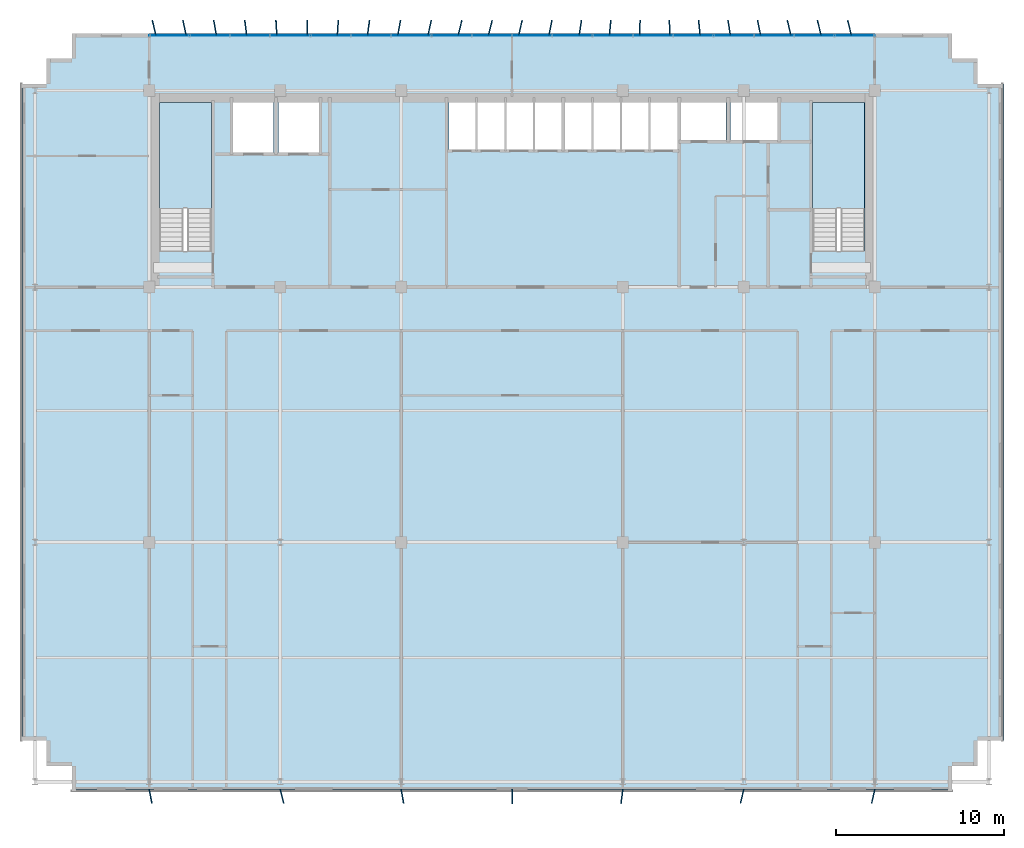
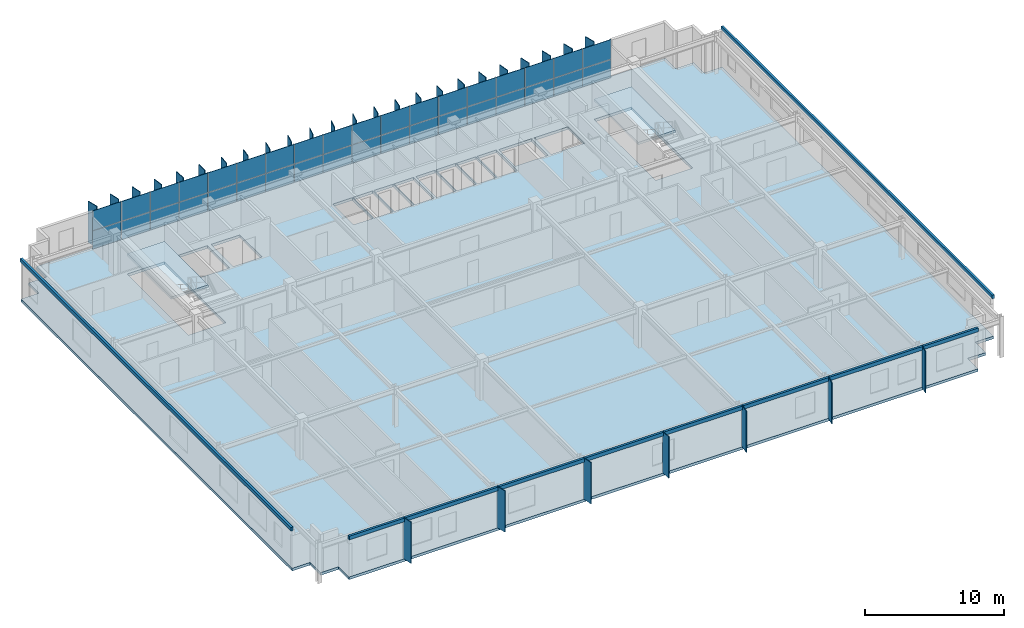
# One storey, part 13 of 19: 70 plates, 3 slabs, 3 elements without a shape of their own.
"""IFC4 building model written with IfcOpenShell, lengths in metres."""

from ifc_helpers import new_model, si_unit, direction, frame, origin, origin_2d, place, context, subcontext, project, spatial, polyline, rectangle, outline, extrude, source, transform, mapped, material, layer, layer_set, type_object, element, aggregate, save


model = new_model("IFC4")

# Units and contexts
model_context = context("Model", 3, precision=1e-05, world=origin(), true_north=direction((0.0, 1.0)))
body_context = subcontext(model_context, "Body", "Model", "MODEL_VIEW")
ifc_project = project(units=[si_unit("LENGTHUNIT", "METRE"), si_unit("AREAUNIT", "SQUARE_METRE"), si_unit("VOLUMEUNIT", "CUBIC_METRE"), si_unit("PLANEANGLEUNIT", "RADIAN"), si_unit("MASSUNIT", "GRAM", prefix="KILO")], contexts=[model_context])

# Site, building, storey
site_placement = place(None, origin())
site = spatial("IfcSite", under=ifc_project, at=site_placement, CompositionType="ELEMENT")
building_placement = place(site_placement, origin())
building = spatial("IfcBuilding", under=site, at=building_placement, Name="Trelvane Seafront Commons", CompositionType="ELEMENT")
storey_placement = place(building_placement, frame((0.0, 0.0, 215.699951171875)))
storey = spatial("IfcBuildingStorey", under=building, at=storey_placement, Name="L56", CompositionType="ELEMENT", Elevation=215.699951171875)

# Stair, slab
ifc_material_1 = material(Name="Concrete C40/50", Category="concrete")
stair_type_1 = type_object("IfcStairType", Name="ARCH-STR-ST-1-R20-180", PredefinedType="HALF_TURN_STAIR", material=ifc_material_1)
stair_1_placement = place(storey_placement, origin())
stair_1 = element("IfcStair", 1, at=stair_1_placement, inside=storey, type_object=stair_type_1, Name="L56 West Protected Firefighting Exit Stair ST-1", PredefinedType="HALF_TURN_STAIR")
ifc_layer_1 = layer(ifc_material_1, 0.199951171875, Name="ARCH-LND-200")
ifc_layer_set_1 = layer_set([ifc_layer_1], Name="Concrete C40/50")
slab_type_1 = type_object("IfcSlabType", Name="ARCH-LND-200", PredefinedType="LANDING", material=ifc_layer_set_1)
slab_1_placement = place(storey_placement, frame((0.0, 0.0, 1.60009765625)))
slab_1 = element("IfcSlab", 2, at=slab_1_placement, type_object=slab_type_1, Name="ST-1 landing 1", PredefinedType="LANDING", context=body_context, shape_type="SweptSolid", body=[
    extrude(outline(polyline([(19.300048828125, 38.070068359375), (19.300048828125, 44.39990234375), (16.199951171875, 44.39990234375), (16.199951171875, 38.070068359375), (19.300048828125, 38.070068359375)])), origin(), (0.0, 0.0, 1.0), 0.199951171875),
])
aggregate(stair_1, [slab_1])

stair_type_2 = type_object("IfcStairType", Name="ARCH-STR-ST-2-R20-180", PredefinedType="HALF_TURN_STAIR", material=ifc_material_1)
stair_2_placement = place(storey_placement, origin())
stair_2 = element("IfcStair", 3, at=stair_2_placement, inside=storey, type_object=stair_type_2, Name="L56 East Protected Firefighting Exit Stair ST-2", PredefinedType="HALF_TURN_STAIR")
slab_2_placement = place(storey_placement, frame((0.0, 0.0, 1.60009765625)))
slab_2 = element("IfcSlab", 4, at=slab_2_placement, type_object=slab_type_1, Name="ST-2 landing 1", PredefinedType="LANDING", context=body_context, shape_type="SweptSolid", body=[
    extrude(outline(polyline([(58.199951171875, 38.070068359375), (58.199951171875, 44.39990234375), (55.10009765625, 44.39990234375), (55.10009765625, 38.070068359375), (58.199951171875, 38.070068359375)])), origin(), (0.0, 0.0, 1.0), 0.199951171875),
])
aggregate(stair_2, [slab_2])

# Slab
ifc_material_2 = material(Name="Concrete C50/60", Category="concrete")
ifc_layer_2 = layer(ifc_material_2, 0.239990234375, Name="STR-SLB-Z4-240")
ifc_layer_set_2 = layer_set([ifc_layer_2], Name="Concrete C50/60")
slab_type_2 = type_object("IfcSlabType", Name="STR-SLB-Z4-240", PredefinedType="FLOOR", material=ifc_layer_set_2)
slab_3_placement = place(storey_placement, frame((0.0, 0.0, -0.239990234375)))
element("IfcSlab", 5, at=slab_3_placement, inside=storey, type_object=slab_type_2, Name="L56 Structural Floor Slab", PredefinedType="FLOOR", context=body_context, shape_type="SweptSolid", body=[
    extrude(outline(polyline([(11.0, 3.39990234375), (63.39990234375, 3.39990234375), (63.39990234375, 4.89990234375), (64.89990234375, 4.89990234375), (64.89990234375, 6.39990234375), (66.39990234375, 6.39990234375), (66.39990234375, 45.5), (64.89990234375, 45.5), (64.89990234375, 47.0), (63.39990234375, 47.0), (63.39990234375, 48.5), (11.0, 48.5), (11.0, 47.0), (9.5, 47.0), (9.5, 45.5), (8.0, 45.5), (8.0, 6.39990234375), (9.5, 6.39990234375), (9.5, 4.89990234375), (11.0, 4.89990234375), (11.0, 3.39990234375)]), holes=[polyline([(19.300048828125, 35.550048828125), (16.199951171875, 35.550048828125), (16.199951171875, 44.39990234375), (19.300048828125, 44.39990234375), (19.300048828125, 35.550048828125)]), polyline([(20.60009765625, 41.39990234375), (20.60009765625, 44.60009765625), (23.0, 44.60009765625), (23.0, 41.39990234375), (20.60009765625, 41.39990234375)]), polyline([(23.300048828125, 41.39990234375), (23.300048828125, 44.60009765625), (25.699951171875, 44.60009765625), (25.699951171875, 41.39990234375), (23.300048828125, 41.39990234375)]), polyline([(33.449951171875, 41.60009765625), (33.449951171875, 44.60009765625), (35.070068359375, 44.60009765625), (35.070068359375, 41.60009765625), (33.449951171875, 41.60009765625)]), polyline([(35.14990234375, 41.60009765625), (35.14990234375, 44.60009765625), (36.77001953125, 44.60009765625), (36.77001953125, 41.60009765625), (35.14990234375, 41.60009765625)]), polyline([(36.85009765625, 41.60009765625), (36.85009765625, 44.60009765625), (38.469970703125, 44.60009765625), (38.469970703125, 41.60009765625), (36.85009765625, 41.60009765625)]), polyline([(38.550048828125, 41.60009765625), (38.550048828125, 44.60009765625), (40.169921875, 44.60009765625), (40.169921875, 41.60009765625), (38.550048828125, 41.60009765625)]), polyline([(58.199951171875, 35.550048828125), (55.10009765625, 35.550048828125), (55.10009765625, 44.39990234375), (58.199951171875, 44.39990234375), (58.199951171875, 35.550048828125)]), polyline([(40.35009765625, 41.60009765625), (40.35009765625, 44.60009765625), (41.969970703125, 44.60009765625), (41.969970703125, 41.60009765625), (40.35009765625, 41.60009765625)]), polyline([(42.050048828125, 41.60009765625), (42.050048828125, 44.60009765625), (43.669921875, 44.60009765625), (43.669921875, 41.60009765625), (42.050048828125, 41.60009765625)]), polyline([(43.75, 41.60009765625), (43.75, 44.60009765625), (45.3701171875, 44.60009765625), (45.3701171875, 41.60009765625), (43.75, 41.60009765625)]), polyline([(45.449951171875, 41.60009765625), (45.449951171875, 44.60009765625), (47.070068359375, 44.60009765625), (47.070068359375, 41.60009765625), (45.449951171875, 41.60009765625)]), polyline([(47.25, 42.14990234375), (47.25, 44.550048828125), (49.949951171875, 44.550048828125), (49.949951171875, 42.14990234375), (47.25, 42.14990234375)]), polyline([(50.199951171875, 42.14990234375), (50.199951171875, 44.550048828125), (53.0, 44.550048828125), (53.0, 42.14990234375), (50.199951171875, 42.14990234375)])]), origin(), (0.0, 0.0, 1.0), 0.239990234375),
])

# Plates
ifc_material_3 = material(Name="Anodised pale-silver aluminium", Category="aluminium")
ifc_layer_3 = layer(ifc_material_3, 0.06005859375, Name="ARCH-PLATE-FIN900")
ifc_layer_set_3 = layer_set([ifc_layer_3], Name="Anodised pale-silver aluminium")
plate_type_1 = type_object("IfcPlateType", Name="ARCH-PLATE-FIN900", PredefinedType="USERDEFINED", material=ifc_layer_set_3)
shared_shape_1 = source(origin(), body_context, "Body", "SweptSolid", [
    extrude(rectangle(XDim=0.89990234375, YDim=0.06005859375, at=origin_2d()), origin(), (0.0, 0.0, 1.0), 3.639892578125),
])
for number, where, z_axis, x_axis, name in (
    (6, (15.893798828125, 48.83740234375, -0.02001953125), (0.0, 0.0, 1.0), (-0.235993611507, 0.971754606538, 0.0), "FIN-L56-01542"),
    (7, (17.7041015625, 48.839599609375, -0.02001953125), (0.0, 0.0, 1.0), (-0.213117354008, 0.977026608348, 0.0), "FIN-L56-01543"),
    (8, (19.521484375, 48.843017578125, -0.02001953125), (0.0, 0.0, 1.0), (-0.174337379407, 0.984685979458, 0.0), "FIN-L56-01544"),
    (9, (21.344970703125, 48.8466796875, -0.02001953125), (0.0, 0.0, 1.0), (-0.122557045069, 0.99246147064, 0.0), "FIN-L56-01545"),
    (10, (23.17236328125, 48.84912109375, -0.02001953125), (0.0, 0.0, 1.0), (-0.06122274599, 0.998124128239, 0.0), "FIN-L56-01546"),
    (11, (25.002197265625, 48.85009765625, -0.02001953125), (0.0, 0.0, 1.0), (0.004776947995, 0.999988590319, 0.0), "FIN-L56-01547"),
    (12, (26.831787109375, 48.848876953125, -0.02001953125), (0.0, 0.0, 1.0), (0.070442441818, 0.997515845684, 0.0), "FIN-L56-01548"),
    (13, (28.65869140625, 48.84619140625, -0.02001953125), (0.0, 0.0, 1.0), (0.130664622765, 0.991426626815, 0.0), "FIN-L56-01549"),
    (14, (30.481201171875, 48.842529296875, -0.02001953125), (0.0, 0.0, 1.0), (0.180771487747, 0.983525123837, 0.0), "FIN-L56-01550"),
    (15, (32.2978515625, 48.839111328125, -0.02001953125), (0.0, 0.0, 1.0), (0.217330693667, 0.976098032776, 0.0), "FIN-L56-01551"),
    (16, (34.107177734375, 48.837158203125, -0.02001953125), (0.0, 0.0, 1.0), (0.237879153157, 0.971294758811, 0.0), "FIN-L56-01552"),
    (17, (35.908447265625, 48.836669921875, -0.02001953125), (0.0, 0.0, 1.0), (0.240992061138, 0.970527086932, 0.0), "FIN-L56-01553"),
    (18, (37.701904296875, 48.83837890625, -0.02001953125), (0.0, 0.0, 1.0), (0.226554411517, 0.973998510585, 0.0), "FIN-L56-01554"),
    (19, (39.488037109375, 48.84130859375, -0.02001953125), (0.0, 0.0, 1.0), (0.195561042668, 0.980691530804, 0.0), "FIN-L56-01555"),
    (20, (41.267333984375, 48.844970703125, -0.02001953125), (0.0, 0.0, 1.0), (0.149894280313, 0.988702030305, 0.0), "FIN-L56-01556"),
    (21, (43.041748046875, 48.84814453125, -0.02001953125), (0.0, 0.0, 1.0), (0.092778978515, 0.995686728417, 0.0), "FIN-L56-01557"),
    (22, (44.812744140625, 48.849853515625, -0.02001953125), (0.0, 0.0, 1.0), (0.0285566852, 0.999592174704, 0.0), "FIN-L56-01558"),
    (23, (46.5830078125, 48.849609375, -0.02001953125), (0.0, 0.0, 1.0), (-0.037997140577, 0.999277847902, 0.0), "FIN-L56-01559"),
    (24, (48.354248046875, 48.84765625, -0.02001953125), (0.0, 0.0, 1.0), (-0.101561574899, 0.99482925495, 0.0), "FIN-L56-01560"),
    (25, (50.129150390625, 48.844482421875, -0.02001953125), (0.0, 0.0, 1.0), (-0.157223934317, 0.987562977474, 0.0), "FIN-L56-01561"),
    (26, (51.909423828125, 48.8408203125, -0.02001953125), (0.0, 0.0, 1.0), (-0.201007823696, 0.979589635926, 0.0), "FIN-L56-01562"),
    (27, (53.696533203125, 48.837890625, -0.02001953125), (0.0, 0.0, 1.0), (-0.229783061299, 0.973241873709, 0.0), "FIN-L56-01563"),
    (28, (55.4912109375, 48.836669921875, -0.02001953125), (0.0, 0.0, 1.0), (-0.24167294527, 0.970357762645, 0.0), "FIN-L56-01564"),
    (29, (57.293701171875, 48.83740234375, -0.02001953125), (0.0, 0.0, 1.0), (-0.235993611507, 0.971754606538, 0.0), "FIN-L56-01565"),
):
    element("IfcPlate", number, at=place(storey_placement, frame(where, z_axis=z_axis, x_axis=x_axis)), inside=storey, type_object=plate_type_1, Name=name, ObjectType="FIN", PredefinedType="USERDEFINED", context=body_context, shape_type="MappedRepresentation", body=[
        mapped(shared_shape_1, transform((0.0, 0.0, 0.0), x_axis=(1.0, 0.0, 0.0), y_axis=(0.0, 1.0, 0.0), z_axis=(0.0, 0.0, 1.0), scale=1.0)),
    ])
shared_shape_2 = source(origin(), body_context, "Body", "SweptSolid", [
    extrude(rectangle(XDim=0.85009765625, YDim=0.06005859375, at=origin_2d()), origin(), (0.0, 0.0, 1.0), 3.639892578125),
])
for number, where, z_axis, x_axis, name in (
    (30, (15.682373046875, 3.0830078125, -0.02001953125), (0.0, 0.0, 1.0), (0.19376350419, -0.981048268152, 0.0), "FIN-S-L56-01566"),
    (31, (23.502685546875, 3.087646484375, -0.02001953125), (0.0, 0.0, 1.0), (0.241539149064, -0.970391075531, 0.0), "FIN-S-L56-01567"),
    (32, (30.67529296875, 3.081787109375, -0.02001953125), (0.0, 0.0, 1.0), (0.177301171954, -0.984156641203, 0.0), "FIN-S-L56-01568"),
    (33, (37.212158203125, 3.0751953125, -0.02001953125), (0.0, 0.0, 1.0), (0.028586343684, -0.999591326971, 0.0), "FIN-S-L56-01569"),
    (34, (43.742919921875, 3.078857421875, -0.02001953125), (0.0, 0.0, 1.0), (-0.13412109235, -0.990964950231, 0.0), "FIN-S-L56-01570"),
    (35, (50.9013671875, 3.086669921875, -0.02001953125), (0.0, 0.0, 1.0), (-0.232112917222, -0.972688847299, 0.0), "FIN-S-L56-01571"),
    (36, (58.70556640625, 3.085693359375, -0.02001953125), (0.0, 0.0, 1.0), (-0.221997790653, -0.975047168575, 0.0), "FIN-S-L56-01572"),
):
    element("IfcPlate", number, at=place(storey_placement, frame(where, z_axis=z_axis, x_axis=x_axis)), inside=storey, type_object=plate_type_1, Name=name, ObjectType="FIN", PredefinedType="USERDEFINED", context=body_context, shape_type="MappedRepresentation", body=[
        mapped(shared_shape_2, transform((0.0, 0.0, 0.0), x_axis=(1.0, 0.0, 0.0), y_axis=(0.0, 1.0, 0.0), z_axis=(0.0, 0.0, 1.0), scale=1.0)),
    ])
ifc_layer_4 = layer(ifc_material_3, 0.179931640625, Name="ARCH-PLATE-AERO")
ifc_layer_set_4 = layer_set([ifc_layer_4], Name="Anodised pale-silver aluminium")
plate_type_2 = type_object("IfcPlateType", Name="ARCH-PLATE-AERO", PredefinedType="SHEET", material=ifc_layer_set_4)
shared_shape_3 = source(origin(), body_context, "Body", "SweptSolid", [
    extrude(rectangle(XDim=39.10009765625, YDim=0.179931640625, at=origin_2d()), origin(), (0.0, 0.0, 1.0), 0.320068359375),
])
for number, where, z_axis, x_axis, name in (
    (37, (8.0, 25.949951171875, 3.2998046875), (0.0, 0.0, 1.0), (0.0, 1.0, 0.0), "AER-L56-00197"),
    (38, (66.39990234375, 25.949951171875, 3.2998046875), (0.0, 0.0, 1.0), (0.0, -1.0, 0.0), "AER-L56-00198"),
):
    element("IfcPlate", number, at=place(storey_placement, frame(where, z_axis=z_axis, x_axis=x_axis)), inside=storey, type_object=plate_type_2, Name=name, PredefinedType="SHEET", context=body_context, shape_type="MappedRepresentation", body=[
        mapped(shared_shape_3, transform((0.0, 0.0, 0.0), x_axis=(1.0, 0.0, 0.0), y_axis=(0.0, 1.0, 0.0), z_axis=(0.0, 0.0, 1.0), scale=1.0)),
    ])
shared_shape_4 = source(origin(), body_context, "Body", "SweptSolid", [
    extrude(rectangle(XDim=52.39990234375, YDim=0.179931640625, at=origin_2d()), origin(), (0.0, 0.0, 1.0), 0.320068359375),
])
plate_1_placement = place(storey_placement, frame((37.199951171875, 3.43994140625, 3.2998046875), z_axis=(0.0, 0.0, 1.0), x_axis=(-1.0, 0.0, 0.0)))
element("IfcPlate", 39, at=plate_1_placement, inside=storey, type_object=plate_type_2, Name="AER-S-L56-00199", PredefinedType="SHEET", context=body_context, shape_type="MappedRepresentation", body=[
    mapped(shared_shape_4, transform((0.0, 0.0, 0.0), x_axis=(1.0, 0.0, 0.0), y_axis=(0.0, 1.0, 0.0), z_axis=(0.0, 0.0, 1.0), scale=1.0)),
])

# Curtain wall, plates
curtain_wall_type = type_object("IfcCurtainWallType", Name="ARCH-CW4-SKYLOBBY", PredefinedType="NOTDEFINED", material=ifc_material_3)
curtain_wall_placement = place(storey_placement, origin())
curtain_wall = element("IfcCurtainWall", 40, at=curtain_wall_placement, inside=storey, type_object=curtain_wall_type, Name="CW-L56-0099", PredefinedType="NOTDEFINED")
ifc_material_4 = material(Name="Low-E coastal double glazing", Category="glass")
ifc_layer_5 = layer(ifc_material_4, 0.033935546875, Name="ARCH-CW-GLAZ-34")
ifc_layer_set_5 = layer_set([ifc_layer_5], Name="Low-E coastal double glazing")
plate_type_3 = type_object("IfcPlateType", Name="ARCH-CW-GLAZ-34", PredefinedType="CURTAIN_PANEL", material=ifc_layer_set_5)
shared_shape_5 = source(origin(), body_context, "Body", "SweptSolid", [
    extrude(rectangle(XDim=2.3759765625, YDim=0.0400390625, at=origin_2d()), origin(), (0.0, 0.0, 1.0), 1.594970703125),
])
plate_2_placement = place(storey_placement, frame((16.800048828125, 48.3701171875, 0.0), z_axis=(0.0, 0.0, 1.0), x_axis=(1.0, 0.0, 0.0)))
plate_2 = element("IfcPlate", 41, at=plate_2_placement, type_object=plate_type_3, Name="CW-L56-0099-P00-1", PredefinedType="CURTAIN_PANEL", context=body_context, shape_type="MappedRepresentation", body=[
    mapped(shared_shape_5, transform((0.0, 0.0, 0.0), x_axis=(1.0, 0.0, 0.0), y_axis=(0.0, 1.0, 0.0), z_axis=(0.0, 0.0, 1.0), scale=1.0)),
])
plate_3_placement = place(storey_placement, frame((19.199951171875, 48.3701171875, 0.0), z_axis=(0.0, 0.0, 1.0), x_axis=(1.0, 0.0, 0.0)))
plate_3 = element("IfcPlate", 42, at=plate_3_placement, type_object=plate_type_3, Name="CW-L56-0099-P01-1", PredefinedType="CURTAIN_PANEL", context=body_context, shape_type="MappedRepresentation", body=[
    mapped(shared_shape_5, transform((0.0, 0.0, 0.0), x_axis=(1.0, 0.0, 0.0), y_axis=(0.0, 1.0, 0.0), z_axis=(0.0, 0.0, 1.0), scale=1.0)),
])
plate_4_placement = place(storey_placement, frame((21.60009765625, 48.3701171875, 0.0), z_axis=(0.0, 0.0, 1.0), x_axis=(1.0, 0.0, 0.0)))
plate_4 = element("IfcPlate", 43, at=plate_4_placement, type_object=plate_type_3, Name="CW-L56-0099-P02-1", PredefinedType="CURTAIN_PANEL", context=body_context, shape_type="MappedRepresentation", body=[
    mapped(shared_shape_5, transform((0.0, 0.0, 0.0), x_axis=(1.0, 0.0, 0.0), y_axis=(0.0, 1.0, 0.0), z_axis=(0.0, 0.0, 1.0), scale=1.0)),
])
plate_5_placement = place(storey_placement, frame((24.0, 48.3701171875, 0.0), z_axis=(0.0, 0.0, 1.0), x_axis=(1.0, 0.0, 0.0)))
plate_5 = element("IfcPlate", 44, at=plate_5_placement, type_object=plate_type_3, Name="CW-L56-0099-P03-1", PredefinedType="CURTAIN_PANEL", context=body_context, shape_type="MappedRepresentation", body=[
    mapped(shared_shape_5, transform((0.0, 0.0, 0.0), x_axis=(1.0, 0.0, 0.0), y_axis=(0.0, 1.0, 0.0), z_axis=(0.0, 0.0, 1.0), scale=1.0)),
])
plate_6_placement = place(storey_placement, frame((26.39990234375, 48.3701171875, 0.0), z_axis=(0.0, 0.0, 1.0), x_axis=(1.0, 0.0, 0.0)))
plate_6 = element("IfcPlate", 45, at=plate_6_placement, type_object=plate_type_3, Name="CW-L56-0099-P04-1", PredefinedType="CURTAIN_PANEL", context=body_context, shape_type="MappedRepresentation", body=[
    mapped(shared_shape_5, transform((0.0, 0.0, 0.0), x_axis=(1.0, 0.0, 0.0), y_axis=(0.0, 1.0, 0.0), z_axis=(0.0, 0.0, 1.0), scale=1.0)),
])
plate_7_placement = place(storey_placement, frame((28.800048828125, 48.3701171875, 0.0), z_axis=(0.0, 0.0, 1.0), x_axis=(1.0, 0.0, 0.0)))
plate_7 = element("IfcPlate", 46, at=plate_7_placement, type_object=plate_type_3, Name="CW-L56-0099-P05-1", PredefinedType="CURTAIN_PANEL", context=body_context, shape_type="MappedRepresentation", body=[
    mapped(shared_shape_5, transform((0.0, 0.0, 0.0), x_axis=(1.0, 0.0, 0.0), y_axis=(0.0, 1.0, 0.0), z_axis=(0.0, 0.0, 1.0), scale=1.0)),
])
plate_8_placement = place(storey_placement, frame((31.199951171875, 48.3701171875, 0.0), z_axis=(0.0, 0.0, 1.0), x_axis=(1.0, 0.0, 0.0)))
plate_8 = element("IfcPlate", 47, at=plate_8_placement, type_object=plate_type_3, Name="CW-L56-0099-P06-1", PredefinedType="CURTAIN_PANEL", context=body_context, shape_type="MappedRepresentation", body=[
    mapped(shared_shape_5, transform((0.0, 0.0, 0.0), x_axis=(1.0, 0.0, 0.0), y_axis=(0.0, 1.0, 0.0), z_axis=(0.0, 0.0, 1.0), scale=1.0)),
])
plate_9_placement = place(storey_placement, frame((33.60009765625, 48.3701171875, 0.0), z_axis=(0.0, 0.0, 1.0), x_axis=(1.0, 0.0, 0.0)))
plate_9 = element("IfcPlate", 48, at=plate_9_placement, type_object=plate_type_3, Name="CW-L56-0099-P07-1", PredefinedType="CURTAIN_PANEL", context=body_context, shape_type="MappedRepresentation", body=[
    mapped(shared_shape_5, transform((0.0, 0.0, 0.0), x_axis=(1.0, 0.0, 0.0), y_axis=(0.0, 1.0, 0.0), z_axis=(0.0, 0.0, 1.0), scale=1.0)),
])
plate_10_placement = place(storey_placement, frame((36.0, 48.3701171875, 0.0), z_axis=(0.0, 0.0, 1.0), x_axis=(1.0, 0.0, 0.0)))
plate_10 = element("IfcPlate", 49, at=plate_10_placement, type_object=plate_type_3, Name="CW-L56-0099-P08-1", PredefinedType="CURTAIN_PANEL", context=body_context, shape_type="MappedRepresentation", body=[
    mapped(shared_shape_5, transform((0.0, 0.0, 0.0), x_axis=(1.0, 0.0, 0.0), y_axis=(0.0, 1.0, 0.0), z_axis=(0.0, 0.0, 1.0), scale=1.0)),
])
plate_11_placement = place(storey_placement, frame((38.39990234375, 48.3701171875, 0.0), z_axis=(0.0, 0.0, 1.0), x_axis=(1.0, 0.0, 0.0)))
plate_11 = element("IfcPlate", 50, at=plate_11_placement, type_object=plate_type_3, Name="CW-L56-0099-P09-1", PredefinedType="CURTAIN_PANEL", context=body_context, shape_type="MappedRepresentation", body=[
    mapped(shared_shape_5, transform((0.0, 0.0, 0.0), x_axis=(1.0, 0.0, 0.0), y_axis=(0.0, 1.0, 0.0), z_axis=(0.0, 0.0, 1.0), scale=1.0)),
])
plate_12_placement = place(storey_placement, frame((40.800048828125, 48.3701171875, 0.0), z_axis=(0.0, 0.0, 1.0), x_axis=(1.0, 0.0, 0.0)))
plate_12 = element("IfcPlate", 51, at=plate_12_placement, type_object=plate_type_3, Name="CW-L56-0099-P10-1", PredefinedType="CURTAIN_PANEL", context=body_context, shape_type="MappedRepresentation", body=[
    mapped(shared_shape_5, transform((0.0, 0.0, 0.0), x_axis=(1.0, 0.0, 0.0), y_axis=(0.0, 1.0, 0.0), z_axis=(0.0, 0.0, 1.0), scale=1.0)),
])
plate_13_placement = place(storey_placement, frame((43.199951171875, 48.3701171875, 0.0), z_axis=(0.0, 0.0, 1.0), x_axis=(1.0, 0.0, 0.0)))
plate_13 = element("IfcPlate", 52, at=plate_13_placement, type_object=plate_type_3, Name="CW-L56-0099-P11-1", PredefinedType="CURTAIN_PANEL", context=body_context, shape_type="MappedRepresentation", body=[
    mapped(shared_shape_5, transform((0.0, 0.0, 0.0), x_axis=(1.0, 0.0, 0.0), y_axis=(0.0, 1.0, 0.0), z_axis=(0.0, 0.0, 1.0), scale=1.0)),
])
plate_14_placement = place(storey_placement, frame((45.60009765625, 48.3701171875, 0.0), z_axis=(0.0, 0.0, 1.0), x_axis=(1.0, 0.0, 0.0)))
plate_14 = element("IfcPlate", 53, at=plate_14_placement, type_object=plate_type_3, Name="CW-L56-0099-P12-1", PredefinedType="CURTAIN_PANEL", context=body_context, shape_type="MappedRepresentation", body=[
    mapped(shared_shape_5, transform((0.0, 0.0, 0.0), x_axis=(1.0, 0.0, 0.0), y_axis=(0.0, 1.0, 0.0), z_axis=(0.0, 0.0, 1.0), scale=1.0)),
])
plate_15_placement = place(storey_placement, frame((48.0, 48.3701171875, 0.0), z_axis=(0.0, 0.0, 1.0), x_axis=(1.0, 0.0, 0.0)))
plate_15 = element("IfcPlate", 54, at=plate_15_placement, type_object=plate_type_3, Name="CW-L56-0099-P13-1", PredefinedType="CURTAIN_PANEL", context=body_context, shape_type="MappedRepresentation", body=[
    mapped(shared_shape_5, transform((0.0, 0.0, 0.0), x_axis=(1.0, 0.0, 0.0), y_axis=(0.0, 1.0, 0.0), z_axis=(0.0, 0.0, 1.0), scale=1.0)),
])
plate_16_placement = place(storey_placement, frame((50.39990234375, 48.3701171875, 0.0), z_axis=(0.0, 0.0, 1.0), x_axis=(1.0, 0.0, 0.0)))
plate_16 = element("IfcPlate", 55, at=plate_16_placement, type_object=plate_type_3, Name="CW-L56-0099-P14-1", PredefinedType="CURTAIN_PANEL", context=body_context, shape_type="MappedRepresentation", body=[
    mapped(shared_shape_5, transform((0.0, 0.0, 0.0), x_axis=(1.0, 0.0, 0.0), y_axis=(0.0, 1.0, 0.0), z_axis=(0.0, 0.0, 1.0), scale=1.0)),
])
plate_17_placement = place(storey_placement, frame((52.800048828125, 48.3701171875, 0.0), z_axis=(0.0, 0.0, 1.0), x_axis=(1.0, 0.0, 0.0)))
plate_17 = element("IfcPlate", 56, at=plate_17_placement, type_object=plate_type_3, Name="CW-L56-0099-P15-1", PredefinedType="CURTAIN_PANEL", context=body_context, shape_type="MappedRepresentation", body=[
    mapped(shared_shape_5, transform((0.0, 0.0, 0.0), x_axis=(1.0, 0.0, 0.0), y_axis=(0.0, 1.0, 0.0), z_axis=(0.0, 0.0, 1.0), scale=1.0)),
])
plate_18_placement = place(storey_placement, frame((55.199951171875, 48.3701171875, 0.0), z_axis=(0.0, 0.0, 1.0), x_axis=(1.0, 0.0, 0.0)))
plate_18 = element("IfcPlate", 57, at=plate_18_placement, type_object=plate_type_3, Name="CW-L56-0099-P16-1", PredefinedType="CURTAIN_PANEL", context=body_context, shape_type="MappedRepresentation", body=[
    mapped(shared_shape_5, transform((0.0, 0.0, 0.0), x_axis=(1.0, 0.0, 0.0), y_axis=(0.0, 1.0, 0.0), z_axis=(0.0, 0.0, 1.0), scale=1.0)),
])
plate_19_placement = place(storey_placement, frame((57.60009765625, 48.3701171875, 0.0), z_axis=(0.0, 0.0, 1.0), x_axis=(1.0, 0.0, 0.0)))
plate_19 = element("IfcPlate", 58, at=plate_19_placement, type_object=plate_type_3, Name="CW-L56-0099-P17-1", PredefinedType="CURTAIN_PANEL", context=body_context, shape_type="MappedRepresentation", body=[
    mapped(shared_shape_5, transform((0.0, 0.0, 0.0), x_axis=(1.0, 0.0, 0.0), y_axis=(0.0, 1.0, 0.0), z_axis=(0.0, 0.0, 1.0), scale=1.0)),
])
shared_shape_6 = source(origin(), body_context, "Body", "SweptSolid", [
    extrude(rectangle(XDim=2.3759765625, YDim=0.0400390625, at=origin_2d()), origin(), (0.0, 0.0, 1.0), 1.72900390625),
])
plate_20_placement = place(storey_placement, frame((16.800048828125, 48.3701171875, 1.631103515625), z_axis=(0.0, 0.0, 1.0), x_axis=(1.0, 0.0, 0.0)))
plate_20 = element("IfcPlate", 59, at=plate_20_placement, type_object=plate_type_3, Name="CW-L56-0099-P00-2", PredefinedType="CURTAIN_PANEL", context=body_context, shape_type="MappedRepresentation", body=[
    mapped(shared_shape_6, transform((0.0, 0.0, 0.0), x_axis=(1.0, 0.0, 0.0), y_axis=(0.0, 1.0, 0.0), z_axis=(0.0, 0.0, 1.0), scale=1.0)),
])
plate_21_placement = place(storey_placement, frame((19.199951171875, 48.3701171875, 1.631103515625), z_axis=(0.0, 0.0, 1.0), x_axis=(1.0, 0.0, 0.0)))
plate_21 = element("IfcPlate", 60, at=plate_21_placement, type_object=plate_type_3, Name="CW-L56-0099-P01-2", PredefinedType="CURTAIN_PANEL", context=body_context, shape_type="MappedRepresentation", body=[
    mapped(shared_shape_6, transform((0.0, 0.0, 0.0), x_axis=(1.0, 0.0, 0.0), y_axis=(0.0, 1.0, 0.0), z_axis=(0.0, 0.0, 1.0), scale=1.0)),
])
plate_22_placement = place(storey_placement, frame((21.60009765625, 48.3701171875, 1.631103515625), z_axis=(0.0, 0.0, 1.0), x_axis=(1.0, 0.0, 0.0)))
plate_22 = element("IfcPlate", 61, at=plate_22_placement, type_object=plate_type_3, Name="CW-L56-0099-P02-2", PredefinedType="CURTAIN_PANEL", context=body_context, shape_type="MappedRepresentation", body=[
    mapped(shared_shape_6, transform((0.0, 0.0, 0.0), x_axis=(1.0, 0.0, 0.0), y_axis=(0.0, 1.0, 0.0), z_axis=(0.0, 0.0, 1.0), scale=1.0)),
])
plate_23_placement = place(storey_placement, frame((24.0, 48.3701171875, 1.631103515625), z_axis=(0.0, 0.0, 1.0), x_axis=(1.0, 0.0, 0.0)))
plate_23 = element("IfcPlate", 62, at=plate_23_placement, type_object=plate_type_3, Name="CW-L56-0099-P03-2", PredefinedType="CURTAIN_PANEL", context=body_context, shape_type="MappedRepresentation", body=[
    mapped(shared_shape_6, transform((0.0, 0.0, 0.0), x_axis=(1.0, 0.0, 0.0), y_axis=(0.0, 1.0, 0.0), z_axis=(0.0, 0.0, 1.0), scale=1.0)),
])
plate_24_placement = place(storey_placement, frame((26.39990234375, 48.3701171875, 1.631103515625), z_axis=(0.0, 0.0, 1.0), x_axis=(1.0, 0.0, 0.0)))
plate_24 = element("IfcPlate", 63, at=plate_24_placement, type_object=plate_type_3, Name="CW-L56-0099-P04-2", PredefinedType="CURTAIN_PANEL", context=body_context, shape_type="MappedRepresentation", body=[
    mapped(shared_shape_6, transform((0.0, 0.0, 0.0), x_axis=(1.0, 0.0, 0.0), y_axis=(0.0, 1.0, 0.0), z_axis=(0.0, 0.0, 1.0), scale=1.0)),
])
plate_25_placement = place(storey_placement, frame((28.800048828125, 48.3701171875, 1.631103515625), z_axis=(0.0, 0.0, 1.0), x_axis=(1.0, 0.0, 0.0)))
plate_25 = element("IfcPlate", 64, at=plate_25_placement, type_object=plate_type_3, Name="CW-L56-0099-P05-2", PredefinedType="CURTAIN_PANEL", context=body_context, shape_type="MappedRepresentation", body=[
    mapped(shared_shape_6, transform((0.0, 0.0, 0.0), x_axis=(1.0, 0.0, 0.0), y_axis=(0.0, 1.0, 0.0), z_axis=(0.0, 0.0, 1.0), scale=1.0)),
])
plate_26_placement = place(storey_placement, frame((31.199951171875, 48.3701171875, 1.631103515625), z_axis=(0.0, 0.0, 1.0), x_axis=(1.0, 0.0, 0.0)))
plate_26 = element("IfcPlate", 65, at=plate_26_placement, type_object=plate_type_3, Name="CW-L56-0099-P06-2", PredefinedType="CURTAIN_PANEL", context=body_context, shape_type="MappedRepresentation", body=[
    mapped(shared_shape_6, transform((0.0, 0.0, 0.0), x_axis=(1.0, 0.0, 0.0), y_axis=(0.0, 1.0, 0.0), z_axis=(0.0, 0.0, 1.0), scale=1.0)),
])
plate_27_placement = place(storey_placement, frame((33.60009765625, 48.3701171875, 1.631103515625), z_axis=(0.0, 0.0, 1.0), x_axis=(1.0, 0.0, 0.0)))
plate_27 = element("IfcPlate", 66, at=plate_27_placement, type_object=plate_type_3, Name="CW-L56-0099-P07-2", PredefinedType="CURTAIN_PANEL", context=body_context, shape_type="MappedRepresentation", body=[
    mapped(shared_shape_6, transform((0.0, 0.0, 0.0), x_axis=(1.0, 0.0, 0.0), y_axis=(0.0, 1.0, 0.0), z_axis=(0.0, 0.0, 1.0), scale=1.0)),
])
plate_28_placement = place(storey_placement, frame((36.0, 48.3701171875, 1.631103515625), z_axis=(0.0, 0.0, 1.0), x_axis=(1.0, 0.0, 0.0)))
plate_28 = element("IfcPlate", 67, at=plate_28_placement, type_object=plate_type_3, Name="CW-L56-0099-P08-2", PredefinedType="CURTAIN_PANEL", context=body_context, shape_type="MappedRepresentation", body=[
    mapped(shared_shape_6, transform((0.0, 0.0, 0.0), x_axis=(1.0, 0.0, 0.0), y_axis=(0.0, 1.0, 0.0), z_axis=(0.0, 0.0, 1.0), scale=1.0)),
])
plate_29_placement = place(storey_placement, frame((38.39990234375, 48.3701171875, 1.631103515625), z_axis=(0.0, 0.0, 1.0), x_axis=(1.0, 0.0, 0.0)))
plate_29 = element("IfcPlate", 68, at=plate_29_placement, type_object=plate_type_3, Name="CW-L56-0099-P09-2", PredefinedType="CURTAIN_PANEL", context=body_context, shape_type="MappedRepresentation", body=[
    mapped(shared_shape_6, transform((0.0, 0.0, 0.0), x_axis=(1.0, 0.0, 0.0), y_axis=(0.0, 1.0, 0.0), z_axis=(0.0, 0.0, 1.0), scale=1.0)),
])
plate_30_placement = place(storey_placement, frame((40.800048828125, 48.3701171875, 1.631103515625), z_axis=(0.0, 0.0, 1.0), x_axis=(1.0, 0.0, 0.0)))
plate_30 = element("IfcPlate", 69, at=plate_30_placement, type_object=plate_type_3, Name="CW-L56-0099-P10-2", PredefinedType="CURTAIN_PANEL", context=body_context, shape_type="MappedRepresentation", body=[
    mapped(shared_shape_6, transform((0.0, 0.0, 0.0), x_axis=(1.0, 0.0, 0.0), y_axis=(0.0, 1.0, 0.0), z_axis=(0.0, 0.0, 1.0), scale=1.0)),
])
plate_31_placement = place(storey_placement, frame((43.199951171875, 48.3701171875, 1.631103515625), z_axis=(0.0, 0.0, 1.0), x_axis=(1.0, 0.0, 0.0)))
plate_31 = element("IfcPlate", 70, at=plate_31_placement, type_object=plate_type_3, Name="CW-L56-0099-P11-2", PredefinedType="CURTAIN_PANEL", context=body_context, shape_type="MappedRepresentation", body=[
    mapped(shared_shape_6, transform((0.0, 0.0, 0.0), x_axis=(1.0, 0.0, 0.0), y_axis=(0.0, 1.0, 0.0), z_axis=(0.0, 0.0, 1.0), scale=1.0)),
])
plate_32_placement = place(storey_placement, frame((45.60009765625, 48.3701171875, 1.631103515625), z_axis=(0.0, 0.0, 1.0), x_axis=(1.0, 0.0, 0.0)))
plate_32 = element("IfcPlate", 71, at=plate_32_placement, type_object=plate_type_3, Name="CW-L56-0099-P12-2", PredefinedType="CURTAIN_PANEL", context=body_context, shape_type="MappedRepresentation", body=[
    mapped(shared_shape_6, transform((0.0, 0.0, 0.0), x_axis=(1.0, 0.0, 0.0), y_axis=(0.0, 1.0, 0.0), z_axis=(0.0, 0.0, 1.0), scale=1.0)),
])
plate_33_placement = place(storey_placement, frame((48.0, 48.3701171875, 1.631103515625), z_axis=(0.0, 0.0, 1.0), x_axis=(1.0, 0.0, 0.0)))
plate_33 = element("IfcPlate", 72, at=plate_33_placement, type_object=plate_type_3, Name="CW-L56-0099-P13-2", PredefinedType="CURTAIN_PANEL", context=body_context, shape_type="MappedRepresentation", body=[
    mapped(shared_shape_6, transform((0.0, 0.0, 0.0), x_axis=(1.0, 0.0, 0.0), y_axis=(0.0, 1.0, 0.0), z_axis=(0.0, 0.0, 1.0), scale=1.0)),
])
plate_34_placement = place(storey_placement, frame((50.39990234375, 48.3701171875, 1.631103515625), z_axis=(0.0, 0.0, 1.0), x_axis=(1.0, 0.0, 0.0)))
plate_34 = element("IfcPlate", 73, at=plate_34_placement, type_object=plate_type_3, Name="CW-L56-0099-P14-2", PredefinedType="CURTAIN_PANEL", context=body_context, shape_type="MappedRepresentation", body=[
    mapped(shared_shape_6, transform((0.0, 0.0, 0.0), x_axis=(1.0, 0.0, 0.0), y_axis=(0.0, 1.0, 0.0), z_axis=(0.0, 0.0, 1.0), scale=1.0)),
])
plate_35_placement = place(storey_placement, frame((52.800048828125, 48.3701171875, 1.631103515625), z_axis=(0.0, 0.0, 1.0), x_axis=(1.0, 0.0, 0.0)))
plate_35 = element("IfcPlate", 74, at=plate_35_placement, type_object=plate_type_3, Name="CW-L56-0099-P15-2", PredefinedType="CURTAIN_PANEL", context=body_context, shape_type="MappedRepresentation", body=[
    mapped(shared_shape_6, transform((0.0, 0.0, 0.0), x_axis=(1.0, 0.0, 0.0), y_axis=(0.0, 1.0, 0.0), z_axis=(0.0, 0.0, 1.0), scale=1.0)),
])
plate_36_placement = place(storey_placement, frame((55.199951171875, 48.3701171875, 1.631103515625), z_axis=(0.0, 0.0, 1.0), x_axis=(1.0, 0.0, 0.0)))
plate_36 = element("IfcPlate", 75, at=plate_36_placement, type_object=plate_type_3, Name="CW-L56-0099-P16-2", PredefinedType="CURTAIN_PANEL", context=body_context, shape_type="MappedRepresentation", body=[
    mapped(shared_shape_6, transform((0.0, 0.0, 0.0), x_axis=(1.0, 0.0, 0.0), y_axis=(0.0, 1.0, 0.0), z_axis=(0.0, 0.0, 1.0), scale=1.0)),
])
plate_37_placement = place(storey_placement, frame((57.60009765625, 48.3701171875, 1.631103515625), z_axis=(0.0, 0.0, 1.0), x_axis=(1.0, 0.0, 0.0)))
plate_37 = element("IfcPlate", 76, at=plate_37_placement, type_object=plate_type_3, Name="CW-L56-0099-P17-2", PredefinedType="CURTAIN_PANEL", context=body_context, shape_type="MappedRepresentation", body=[
    mapped(shared_shape_6, transform((0.0, 0.0, 0.0), x_axis=(1.0, 0.0, 0.0), y_axis=(0.0, 1.0, 0.0), z_axis=(0.0, 0.0, 1.0), scale=1.0)),
])
aggregate(curtain_wall, [plate_2, plate_20, plate_3, plate_21, plate_4, plate_22, plate_5, plate_23, plate_6, plate_24, plate_7, plate_25, plate_8, plate_26, plate_9, plate_27, plate_10, plate_28, plate_11, plate_29, plate_12, plate_30, plate_13, plate_31, plate_14, plate_32, plate_15, plate_33, plate_16, plate_34, plate_17, plate_35, plate_18, plate_36, plate_19, plate_37])

save(model, "model.ifc")
